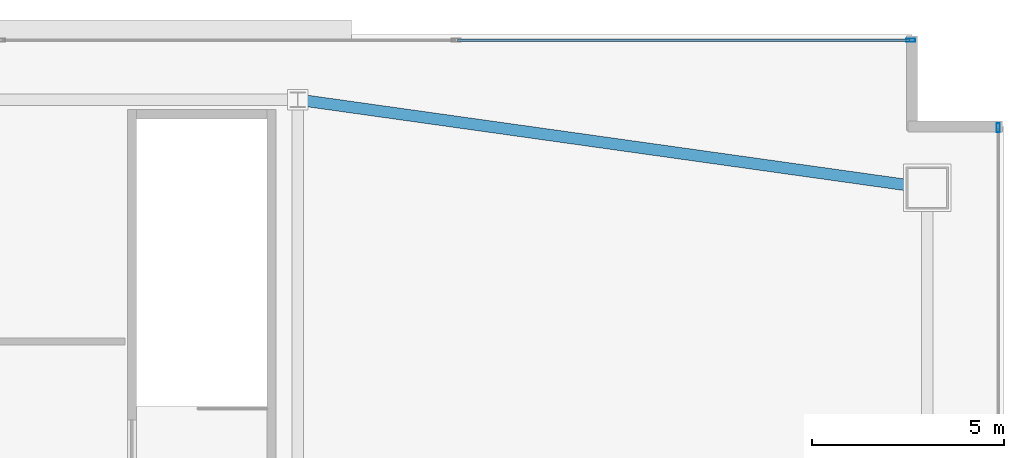
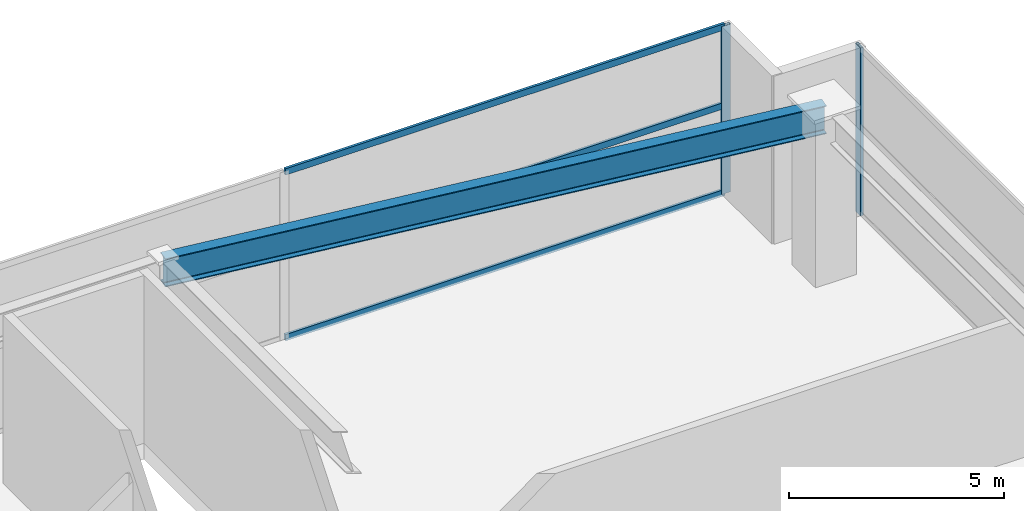
# One storey, part 27 of 36: 5 members, 1 beam, 2 elements without a shape of their own.
"""IFC4 building model written with IfcOpenShell, lengths in metres."""

from ifc_helpers import new_model, si_unit, direction, frame, origin, origin_2d, place, context, subcontext, project, spatial, hollow_rectangle, i_section, extrude, material, layer, layer_set, material_profile, profile_set, type_object, element, aggregate, save


model = new_model("IFC4")

# Units and contexts
model_context = context("Model", 3, precision=1e-05, world=origin(), true_north=direction((0.0, 1.0)))
body_context = subcontext(model_context, "Body", "Model", "MODEL_VIEW")
ifc_project = project(units=[si_unit("LENGTHUNIT", "METRE"), si_unit("AREAUNIT", "SQUARE_METRE"), si_unit("VOLUMEUNIT", "CUBIC_METRE"), si_unit("PLANEANGLEUNIT", "RADIAN"), si_unit("MASSUNIT", "GRAM", prefix="KILO")], contexts=[model_context])

# Site, building, storey
site_placement = place(None, origin())
site = spatial("IfcSite", under=ifc_project, at=site_placement, CompositionType="ELEMENT")
building_placement = place(site_placement, origin())
building = spatial("IfcBuilding", under=site, at=building_placement, Name="Calvorn Quay Hotel", CompositionType="ELEMENT")
storey_placement = place(building_placement, frame((0.0, 0.0, 22.0)))
storey = spatial("IfcBuildingStorey", under=building, at=storey_placement, Name="L04", CompositionType="ELEMENT", Elevation=22.0)

# Beam
ifc_material_1 = material(Name="Steel Q390GJC", Category="steel")
ifc_material_profile_1 = material_profile(ifc_material_1, i_section(OverallWidth=0.300048828125, OverallDepth=0.800048828125, WebThickness=0.013916015625, FlangeThickness=0.02587890625, FilletRadius=0.02392578125, at=origin_2d()), Name="HN800x300x14x26")
ifc_profile_set_1 = profile_set([ifc_material_profile_1], Name="Steel Q390GJC")
beam_type = type_object("IfcBeamType", Name="BM-GIRD-POD", PredefinedType="BEAM", material=ifc_profile_set_1)
beam_placement = place(storey_placement, frame((57.60009765625, 53.800048828125, 4.340087890625), z_axis=(0.990308033684, -0.138888438761, 0.0), x_axis=(0.138888438761, 0.990308033684, 0.0)))
element("IfcBeam", 1, at=beam_placement, inside=storey, type_object=beam_type, Name="Beam BG-L04-PN7", PredefinedType="BEAM", context=body_context, shape_type="SweptSolid", body=[
    extrude(i_section(OverallWidth=0.300048828125, OverallDepth=0.800048828125, WebThickness=0.013916015625, FlangeThickness=0.02587890625, FilletRadius=0.02392578125, at=origin_2d()), origin(), (0.0, 0.0, 1.0), 16.560302734375),
])

# Curtain wall, member
ifc_material_2 = material(Name="Pale Anodised Aluminium and Low-E Glass", Category="aluminium")
ifc_layer = layer(ifc_material_2, 0.219970703125)
ifc_layer_set = layer_set([ifc_layer], Name="CW-SYS-POD")
curtain_wall_type = type_object("IfcCurtainWallType", Name="CW-SYS-POD", PredefinedType="NOTDEFINED", material=ifc_layer_set)
curtain_wall_1_placement = place(storey_placement, origin())
curtain_wall_1 = element("IfcCurtainWall", 2, at=curtain_wall_1_placement, inside=storey, type_object=curtain_wall_type, Name="Podium Curtain Wall L04-N1", PredefinedType="NOTDEFINED")
ifc_material_3 = material(Name="Pale Anodised Aluminium 6063-T6", Category="aluminium")
ifc_material_profile_2 = material_profile(ifc_material_3, hollow_rectangle(XDim=0.080078125, YDim=0.239990234375, WallThickness=0.0048828125, at=origin_2d()), Name="ALU-M240x80x5")
ifc_profile_set_2 = profile_set([ifc_material_profile_2], Name="Pale Anodised Aluminium 6063-T6")
member_type_1 = type_object("IfcMemberType", Name="CW-SYS-POD-MUL", PredefinedType="MULLION", material=ifc_profile_set_2)
member_1_placement = place(storey_placement, frame((73.570068359375, 55.35009765625, 0.0), z_axis=(0.0, 0.0, 1.0), x_axis=(0.0, 1.0, 0.0)))
member_1 = element("IfcMember", 3, at=member_1_placement, type_object=member_type_1, Name="CW-L04-N1 mullion 7", PredefinedType="MULLION", context=body_context, shape_type="SweptSolid", body=[
    extrude(hollow_rectangle(XDim=0.080078125, YDim=0.239990234375, WallThickness=0.0048828125, at=origin_2d()), origin(), (0.0, 0.0, 1.0), 4.760009765625),
])

curtain_wall_2_placement = place(storey_placement, origin())
curtain_wall_2 = element("IfcCurtainWall", 4, at=curtain_wall_2_placement, inside=storey, type_object=curtain_wall_type, Name="Podium Curtain Wall L04-E1", PredefinedType="NOTDEFINED")
member_2_placement = place(storey_placement, frame((75.85009765625, 53.070068359375, 0.0), z_axis=(0.0, 0.0, 1.0), x_axis=(-1.0, 0.0, 0.0)))
member_2 = element("IfcMember", 5, at=member_2_placement, type_object=member_type_1, Name="CW-L04-E1 mullion 6", PredefinedType="MULLION", context=body_context, shape_type="SweptSolid", body=[
    extrude(hollow_rectangle(XDim=0.080078125, YDim=0.239990234375, WallThickness=0.0048828125, at=origin_2d()), origin(), (0.0, 0.0, 1.0), 4.760009765625),
])
aggregate(curtain_wall_2, [member_2])

# Member
ifc_material_4 = material(Name="Pale Anodised Aluminium 6063-T6", Category="aluminium")
ifc_material_profile_3 = material_profile(ifc_material_4, hollow_rectangle(XDim=0.070068359375, YDim=0.179931640625, WallThickness=0.00390625, at=origin_2d()), Name="ALU-T180x70x4")
ifc_profile_set_3 = profile_set([ifc_material_profile_3], Name="Pale Anodised Aluminium 6063-T6")
member_type_2 = type_object("IfcMemberType", Name="CW-SYS-POD-TRN", PredefinedType="USERDEFINED", material=ifc_profile_set_3)
member_3_placement = place(storey_placement, frame((61.763427734375, 55.35009765625, 0.030029296875), z_axis=(1.0, 0.0, 0.0), x_axis=(0.0, 1.0, 0.0)))
member_3 = element("IfcMember", 6, at=member_3_placement, type_object=member_type_2, Name="CW-L04-N1 transom 6.1", ObjectType="TRANSOM", PredefinedType="USERDEFINED", context=body_context, shape_type="SweptSolid", body=[
    extrude(hollow_rectangle(XDim=0.070068359375, YDim=0.179931640625, WallThickness=0.00390625, at=origin_2d()), origin(), (0.0, 0.0, 1.0), 11.776611328125),
])

member_4_placement = place(storey_placement, frame((61.763427734375, 55.35009765625, 2.5), z_axis=(1.0, 0.0, 0.0), x_axis=(0.0, 1.0, 0.0)))
member_4 = element("IfcMember", 7, at=member_4_placement, type_object=member_type_2, Name="CW-L04-N1 transom 6.2", ObjectType="TRANSOM", PredefinedType="USERDEFINED", context=body_context, shape_type="SweptSolid", body=[
    extrude(hollow_rectangle(XDim=0.070068359375, YDim=0.179931640625, WallThickness=0.00390625, at=origin_2d()), origin(), (0.0, 0.0, 1.0), 11.776611328125),
])

member_5_placement = place(storey_placement, frame((61.763427734375, 55.35009765625, 4.72998046875), z_axis=(1.0, 0.0, 0.0), x_axis=(0.0, 1.0, 0.0)))
member_5 = element("IfcMember", 8, at=member_5_placement, type_object=member_type_2, Name="CW-L04-N1 transom 6.3", ObjectType="TRANSOM", PredefinedType="USERDEFINED", context=body_context, shape_type="SweptSolid", body=[
    extrude(hollow_rectangle(XDim=0.070068359375, YDim=0.179931640625, WallThickness=0.00390625, at=origin_2d()), origin(), (0.0, 0.0, 1.0), 11.776611328125),
])

aggregate(curtain_wall_1, [member_1, member_3, member_4, member_5])

save(model, "model.ifc")
